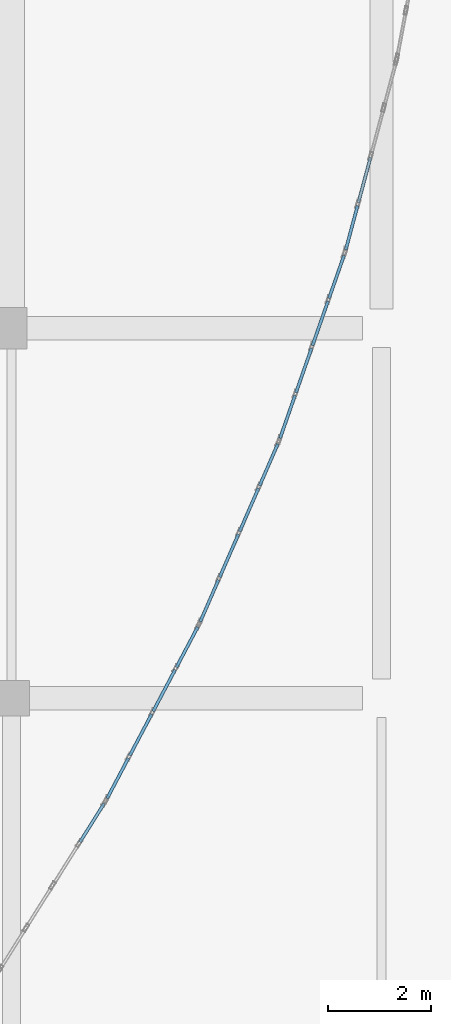
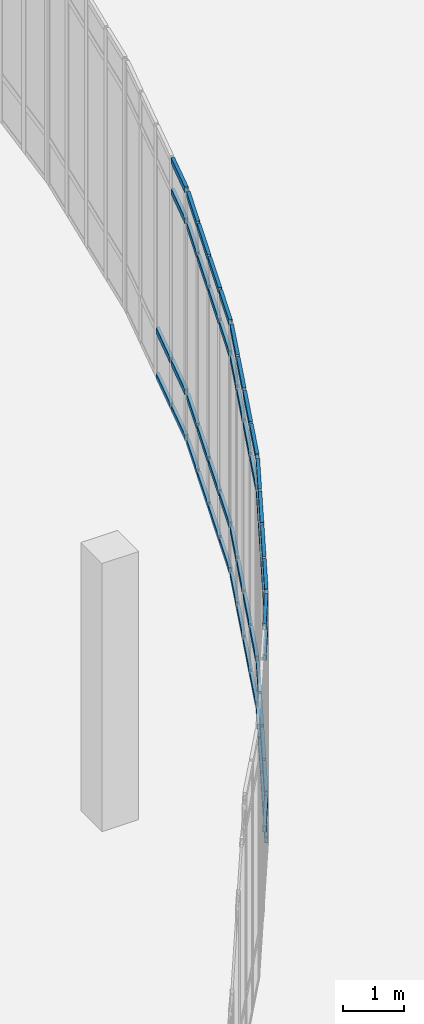
# One storey, part 71 of 110: 57 members, 5 elements without a shape of their own.
"""IFC4 building model written with IfcOpenShell, lengths in metres."""

from ifc_helpers import new_model, si_unit, direction, frame, origin, origin_2d, place, context, subcontext, project, spatial, hollow_rectangle, extrude, material, material_profile, profile_set, type_object, element, aggregate, save


model = new_model("IFC4")

# Units and contexts
model_context = context("Model", 3, precision=1e-05, world=origin(), true_north=direction((0.0, 1.0)))
body_context = subcontext(model_context, "Body", "Model", "MODEL_VIEW")
ifc_project = project(units=[si_unit("LENGTHUNIT", "METRE"), si_unit("AREAUNIT", "SQUARE_METRE"), si_unit("VOLUMEUNIT", "CUBIC_METRE"), si_unit("PLANEANGLEUNIT", "RADIAN"), si_unit("MASSUNIT", "GRAM", prefix="KILO")], contexts=[model_context])

# Site, building, storey
site_placement = place(None, origin())
site = spatial("IfcSite", under=ifc_project, at=site_placement, CompositionType="ELEMENT")
building_placement = place(site_placement, origin())
building = spatial("IfcBuilding", under=site, at=building_placement, Name="Kalluvel Institute of Natural Sciences", CompositionType="ELEMENT")
storey_placement = place(building_placement, origin())
storey = spatial("IfcBuildingStorey", under=building, at=storey_placement, Name="L00", CompositionType="ELEMENT", Elevation=0.0)

# Curtain wall, members
ifc_material = material(Name="Aluminium AW-6063 T6", Category="aluminium")
curtain_wall_type = type_object("IfcCurtainWallType", Name="CW-ATR-L00", PredefinedType="USERDEFINED", material=ifc_material)
curtain_wall_1_placement = place(storey_placement, origin())
curtain_wall_1 = element("IfcCurtainWall", 1, at=curtain_wall_1_placement, inside=storey, type_object=curtain_wall_type, Name="L00 Gothic lancet curtain wall CWA-L00-X786-Y735", ObjectType="UNITISED LANCET FACADE", PredefinedType="USERDEFINED")
ifc_material_profile = material_profile(ifc_material, hollow_rectangle(XDim=0.06005859375, YDim=0.1201171875, WallThickness=0.00390625, at=origin_2d()), Name="CWT 60x120")
ifc_profile_set = profile_set([ifc_material_profile], Name="Aluminium AW-6063 T6")
member_type = type_object("IfcMemberType", Name="CWT-60x120", PredefinedType="USERDEFINED", material=ifc_profile_set)
member_1_placement = place(storey_placement, frame((80.132080078125, 76.002197265625, 0.949951171875), z_axis=(0.531888139511, 0.84681462378, 0.0), x_axis=(-0.84681462378, 0.531888139511, 0.0)))
member_1 = element("IfcMember", 2, at=member_1_placement, type_object=member_type, Name="CW-06 transom 4.2", ObjectType="TRANSOM", PredefinedType="USERDEFINED", context=body_context, shape_type="SweptSolid", body=[
    extrude(hollow_rectangle(XDim=0.06005859375, YDim=0.1201171875, WallThickness=0.00390625, at=origin_2d()), origin(), (0.0, 0.0, 1.0), 0.88232421875),
])
member_2_placement = place(storey_placement, frame((80.132080078125, 76.002197265625, 4.39990234375), z_axis=(0.531888139511, 0.84681462378, 0.0), x_axis=(-0.84681462378, 0.531888139511, 0.0)))
member_2 = element("IfcMember", 3, at=member_2_placement, type_object=member_type, Name="CW-06 transom 4.3", ObjectType="TRANSOM", PredefinedType="USERDEFINED", context=body_context, shape_type="SweptSolid", body=[
    extrude(hollow_rectangle(XDim=0.06005859375, YDim=0.1201171875, WallThickness=0.00390625, at=origin_2d()), origin(), (0.0, 0.0, 1.0), 0.88232421875),
])
member_3_placement = place(storey_placement, frame((80.132080078125, 76.002197265625, 5.02001953125), z_axis=(0.531888139511, 0.84681462378, 0.0), x_axis=(-0.84681462378, 0.531888139511, 0.0)))
member_3 = element("IfcMember", 4, at=member_3_placement, type_object=member_type, Name="CW-06 transom 4.4", ObjectType="TRANSOM", PredefinedType="USERDEFINED", context=body_context, shape_type="SweptSolid", body=[
    extrude(hollow_rectangle(XDim=0.06005859375, YDim=0.1201171875, WallThickness=0.00390625, at=origin_2d()), origin(), (0.0, 0.0, 1.0), 0.88232421875),
])
aggregate(curtain_wall_1, [member_1, member_2, member_3])

curtain_wall_2_placement = place(storey_placement, origin())
curtain_wall_2 = element("IfcCurtainWall", 5, at=curtain_wall_2_placement, inside=storey, type_object=curtain_wall_type, Name="L00 Gothic lancet curtain wall CWA-L00-X806-Y768", ObjectType="UNITISED LANCET FACADE", PredefinedType="USERDEFINED")
member_4_placement = place(storey_placement, frame((80.661376953125, 76.85302734375, 0.030029296875), z_axis=(0.467137361686, 0.884184757456, 0.0), x_axis=(-0.884184757456, 0.467137361686, 0.0)))
member_4 = element("IfcMember", 6, at=member_4_placement, type_object=member_type, Name="CW-06 transom 1.1", ObjectType="TRANSOM", PredefinedType="USERDEFINED", context=body_context, shape_type="SweptSolid", body=[
    extrude(hollow_rectangle(XDim=0.06005859375, YDim=0.1201171875, WallThickness=0.00390625, at=origin_2d()), origin(), (0.0, 0.0, 1.0), 0.882080078125),
])
member_5_placement = place(storey_placement, frame((80.661376953125, 76.85302734375, 0.949951171875), z_axis=(0.467137361686, 0.884184757456, 0.0), x_axis=(-0.884184757456, 0.467137361686, 0.0)))
member_5 = element("IfcMember", 7, at=member_5_placement, type_object=member_type, Name="CW-06 transom 1.2", ObjectType="TRANSOM", PredefinedType="USERDEFINED", context=body_context, shape_type="SweptSolid", body=[
    extrude(hollow_rectangle(XDim=0.06005859375, YDim=0.1201171875, WallThickness=0.00390625, at=origin_2d()), origin(), (0.0, 0.0, 1.0), 0.882080078125),
])
member_6_placement = place(storey_placement, frame((80.661376953125, 76.85302734375, 4.39990234375), z_axis=(0.467137361686, 0.884184757456, 0.0), x_axis=(-0.884184757456, 0.467137361686, 0.0)))
member_6 = element("IfcMember", 8, at=member_6_placement, type_object=member_type, Name="CW-06 transom 1.3", ObjectType="TRANSOM", PredefinedType="USERDEFINED", context=body_context, shape_type="SweptSolid", body=[
    extrude(hollow_rectangle(XDim=0.06005859375, YDim=0.1201171875, WallThickness=0.00390625, at=origin_2d()), origin(), (0.0, 0.0, 1.0), 0.882080078125),
])
member_7_placement = place(storey_placement, frame((80.661376953125, 76.85302734375, 5.02001953125), z_axis=(0.467137361686, 0.884184757456, 0.0), x_axis=(-0.884184757456, 0.467137361686, 0.0)))
member_7 = element("IfcMember", 9, at=member_7_placement, type_object=member_type, Name="CW-06 transom 1.4", ObjectType="TRANSOM", PredefinedType="USERDEFINED", context=body_context, shape_type="SweptSolid", body=[
    extrude(hollow_rectangle(XDim=0.06005859375, YDim=0.1201171875, WallThickness=0.00390625, at=origin_2d()), origin(), (0.0, 0.0, 1.0), 0.882080078125),
])
member_8_placement = place(storey_placement, frame((81.1015625, 77.68603515625, 0.030029296875), z_axis=(0.467334223717, 0.884080722187, 0.0), x_axis=(-0.884080722187, 0.467334223717, 0.0)))
member_8 = element("IfcMember", 10, at=member_8_placement, type_object=member_type, Name="CW-06 transom 2.1", ObjectType="TRANSOM", PredefinedType="USERDEFINED", context=body_context, shape_type="SweptSolid", body=[
    extrude(hollow_rectangle(XDim=0.06005859375, YDim=0.1201171875, WallThickness=0.00390625, at=origin_2d()), origin(), (0.0, 0.0, 1.0), 0.912109375),
])
member_9_placement = place(storey_placement, frame((81.1015625, 77.68603515625, 0.949951171875), z_axis=(0.467334223717, 0.884080722187, 0.0), x_axis=(-0.884080722187, 0.467334223717, 0.0)))
member_9 = element("IfcMember", 11, at=member_9_placement, type_object=member_type, Name="CW-06 transom 2.2", ObjectType="TRANSOM", PredefinedType="USERDEFINED", context=body_context, shape_type="SweptSolid", body=[
    extrude(hollow_rectangle(XDim=0.06005859375, YDim=0.1201171875, WallThickness=0.00390625, at=origin_2d()), origin(), (0.0, 0.0, 1.0), 0.912109375),
])
member_10_placement = place(storey_placement, frame((81.1015625, 77.68603515625, 4.39990234375), z_axis=(0.467334223717, 0.884080722187, 0.0), x_axis=(-0.884080722187, 0.467334223717, 0.0)))
member_10 = element("IfcMember", 12, at=member_10_placement, type_object=member_type, Name="CW-06 transom 2.3", ObjectType="TRANSOM", PredefinedType="USERDEFINED", context=body_context, shape_type="SweptSolid", body=[
    extrude(hollow_rectangle(XDim=0.06005859375, YDim=0.1201171875, WallThickness=0.00390625, at=origin_2d()), origin(), (0.0, 0.0, 1.0), 0.912109375),
])
member_11_placement = place(storey_placement, frame((81.1015625, 77.68603515625, 5.02001953125), z_axis=(0.467334223717, 0.884080722187, 0.0), x_axis=(-0.884080722187, 0.467334223717, 0.0)))
member_11 = element("IfcMember", 13, at=member_11_placement, type_object=member_type, Name="CW-06 transom 2.4", ObjectType="TRANSOM", PredefinedType="USERDEFINED", context=body_context, shape_type="SweptSolid", body=[
    extrude(hollow_rectangle(XDim=0.06005859375, YDim=0.1201171875, WallThickness=0.00390625, at=origin_2d()), origin(), (0.0, 0.0, 1.0), 0.912109375),
])
member_12_placement = place(storey_placement, frame((81.555908203125, 78.54541015625, 0.030029296875), z_axis=(0.467223659537, 0.884139158712, 0.0), x_axis=(-0.884139158712, 0.467223659537, 0.0)))
member_12 = element("IfcMember", 14, at=member_12_placement, type_object=member_type, Name="CW-06 transom 3.1", ObjectType="TRANSOM", PredefinedType="USERDEFINED", context=body_context, shape_type="SweptSolid", body=[
    extrude(hollow_rectangle(XDim=0.06005859375, YDim=0.1201171875, WallThickness=0.00390625, at=origin_2d()), origin(), (0.0, 0.0, 1.0), 0.912353515625),
])
member_13_placement = place(storey_placement, frame((81.555908203125, 78.54541015625, 0.949951171875), z_axis=(0.467223659537, 0.884139158712, 0.0), x_axis=(-0.884139158712, 0.467223659537, 0.0)))
member_13 = element("IfcMember", 15, at=member_13_placement, type_object=member_type, Name="CW-06 transom 3.2", ObjectType="TRANSOM", PredefinedType="USERDEFINED", context=body_context, shape_type="SweptSolid", body=[
    extrude(hollow_rectangle(XDim=0.06005859375, YDim=0.1201171875, WallThickness=0.00390625, at=origin_2d()), origin(), (0.0, 0.0, 1.0), 0.912353515625),
])
member_14_placement = place(storey_placement, frame((81.555908203125, 78.54541015625, 4.39990234375), z_axis=(0.467223659537, 0.884139158712, 0.0), x_axis=(-0.884139158712, 0.467223659537, 0.0)))
member_14 = element("IfcMember", 16, at=member_14_placement, type_object=member_type, Name="CW-06 transom 3.3", ObjectType="TRANSOM", PredefinedType="USERDEFINED", context=body_context, shape_type="SweptSolid", body=[
    extrude(hollow_rectangle(XDim=0.06005859375, YDim=0.1201171875, WallThickness=0.00390625, at=origin_2d()), origin(), (0.0, 0.0, 1.0), 0.912353515625),
])
member_15_placement = place(storey_placement, frame((81.555908203125, 78.54541015625, 5.02001953125), z_axis=(0.467223659537, 0.884139158712, 0.0), x_axis=(-0.884139158712, 0.467223659537, 0.0)))
member_15 = element("IfcMember", 17, at=member_15_placement, type_object=member_type, Name="CW-06 transom 3.4", ObjectType="TRANSOM", PredefinedType="USERDEFINED", context=body_context, shape_type="SweptSolid", body=[
    extrude(hollow_rectangle(XDim=0.06005859375, YDim=0.1201171875, WallThickness=0.00390625, at=origin_2d()), origin(), (0.0, 0.0, 1.0), 0.912353515625),
])
member_16_placement = place(storey_placement, frame((82.01025390625, 79.405029296875, 0.030029296875), z_axis=(0.467137361686, 0.884184757456, 0.0), x_axis=(-0.884184757456, 0.467137361686, 0.0)))
member_16 = element("IfcMember", 18, at=member_16_placement, type_object=member_type, Name="CW-06 transom 4.1", ObjectType="TRANSOM", PredefinedType="USERDEFINED", context=body_context, shape_type="SweptSolid", body=[
    extrude(hollow_rectangle(XDim=0.06005859375, YDim=0.1201171875, WallThickness=0.00390625, at=origin_2d()), origin(), (0.0, 0.0, 1.0), 0.882080078125),
])
member_17_placement = place(storey_placement, frame((82.01025390625, 79.405029296875, 0.949951171875), z_axis=(0.467137361686, 0.884184757456, 0.0), x_axis=(-0.884184757456, 0.467137361686, 0.0)))
member_17 = element("IfcMember", 19, at=member_17_placement, type_object=member_type, Name="CW-06 transom 4.2", ObjectType="TRANSOM", PredefinedType="USERDEFINED", context=body_context, shape_type="SweptSolid", body=[
    extrude(hollow_rectangle(XDim=0.06005859375, YDim=0.1201171875, WallThickness=0.00390625, at=origin_2d()), origin(), (0.0, 0.0, 1.0), 0.882080078125),
])
member_18_placement = place(storey_placement, frame((82.01025390625, 79.405029296875, 4.39990234375), z_axis=(0.467137361686, 0.884184757456, 0.0), x_axis=(-0.884184757456, 0.467137361686, 0.0)))
member_18 = element("IfcMember", 20, at=member_18_placement, type_object=member_type, Name="CW-06 transom 4.3", ObjectType="TRANSOM", PredefinedType="USERDEFINED", context=body_context, shape_type="SweptSolid", body=[
    extrude(hollow_rectangle(XDim=0.06005859375, YDim=0.1201171875, WallThickness=0.00390625, at=origin_2d()), origin(), (0.0, 0.0, 1.0), 0.882080078125),
])
member_19_placement = place(storey_placement, frame((82.01025390625, 79.405029296875, 5.02001953125), z_axis=(0.467137361686, 0.884184757456, 0.0), x_axis=(-0.884184757456, 0.467137361686, 0.0)))
member_19 = element("IfcMember", 21, at=member_19_placement, type_object=member_type, Name="CW-06 transom 4.4", ObjectType="TRANSOM", PredefinedType="USERDEFINED", context=body_context, shape_type="SweptSolid", body=[
    extrude(hollow_rectangle(XDim=0.06005859375, YDim=0.1201171875, WallThickness=0.00390625, at=origin_2d()), origin(), (0.0, 0.0, 1.0), 0.882080078125),
])
aggregate(curtain_wall_2, [member_4, member_5, member_6, member_7, member_8, member_9, member_10, member_11, member_12, member_13, member_14, member_15, member_16, member_17, member_18, member_19])

curtain_wall_3_placement = place(storey_placement, origin())
curtain_wall_3 = element("IfcCurtainWall", 22, at=curtain_wall_3_placement, inside=storey, type_object=curtain_wall_type, Name="L00 Gothic lancet curtain wall CWA-L00-X825-Y802", ObjectType="UNITISED LANCET FACADE", PredefinedType="USERDEFINED")
member_20_placement = place(storey_placement, frame((82.474365234375, 80.29296875, 0.030029296875), z_axis=(0.399889506893, 0.916563354208, 0.0), x_axis=(-0.916563354208, 0.399889506893, 0.0)))
member_20 = element("IfcMember", 23, at=member_20_placement, type_object=member_type, Name="CW-06 transom 1.1", ObjectType="TRANSOM", PredefinedType="USERDEFINED", context=body_context, shape_type="SweptSolid", body=[
    extrude(hollow_rectangle(XDim=0.06005859375, YDim=0.1201171875, WallThickness=0.00390625, at=origin_2d()), origin(), (0.0, 0.0, 1.0), 0.882080078125),
])
member_21_placement = place(storey_placement, frame((82.474365234375, 80.29296875, 0.949951171875), z_axis=(0.399889506893, 0.916563354208, 0.0), x_axis=(-0.916563354208, 0.399889506893, 0.0)))
member_21 = element("IfcMember", 24, at=member_21_placement, type_object=member_type, Name="CW-06 transom 1.2", ObjectType="TRANSOM", PredefinedType="USERDEFINED", context=body_context, shape_type="SweptSolid", body=[
    extrude(hollow_rectangle(XDim=0.06005859375, YDim=0.1201171875, WallThickness=0.00390625, at=origin_2d()), origin(), (0.0, 0.0, 1.0), 0.882080078125),
])
member_22_placement = place(storey_placement, frame((82.474365234375, 80.29296875, 4.39990234375), z_axis=(0.399889506893, 0.916563354208, 0.0), x_axis=(-0.916563354208, 0.399889506893, 0.0)))
member_22 = element("IfcMember", 25, at=member_22_placement, type_object=member_type, Name="CW-06 transom 1.3", ObjectType="TRANSOM", PredefinedType="USERDEFINED", context=body_context, shape_type="SweptSolid", body=[
    extrude(hollow_rectangle(XDim=0.06005859375, YDim=0.1201171875, WallThickness=0.00390625, at=origin_2d()), origin(), (0.0, 0.0, 1.0), 0.882080078125),
])
member_23_placement = place(storey_placement, frame((82.474365234375, 80.29296875, 5.02001953125), z_axis=(0.399889506893, 0.916563354208, 0.0), x_axis=(-0.916563354208, 0.399889506893, 0.0)))
member_23 = element("IfcMember", 26, at=member_23_placement, type_object=member_type, Name="CW-06 transom 1.4", ObjectType="TRANSOM", PredefinedType="USERDEFINED", context=body_context, shape_type="SweptSolid", body=[
    extrude(hollow_rectangle(XDim=0.06005859375, YDim=0.1201171875, WallThickness=0.00390625, at=origin_2d()), origin(), (0.0, 0.0, 1.0), 0.882080078125),
])
member_24_placement = place(storey_placement, frame((82.85107421875, 81.156494140625, 0.030029296875), z_axis=(0.399821828084, 0.916592878975, 0.0), x_axis=(-0.916592878975, 0.399821828084, 0.0)))
member_24 = element("IfcMember", 27, at=member_24_placement, type_object=member_type, Name="CW-06 transom 2.1", ObjectType="TRANSOM", PredefinedType="USERDEFINED", context=body_context, shape_type="SweptSolid", body=[
    extrude(hollow_rectangle(XDim=0.06005859375, YDim=0.1201171875, WallThickness=0.00390625, at=origin_2d()), origin(), (0.0, 0.0, 1.0), 0.912353515625),
])
member_25_placement = place(storey_placement, frame((82.85107421875, 81.156494140625, 0.949951171875), z_axis=(0.399821828084, 0.916592878975, 0.0), x_axis=(-0.916592878975, 0.399821828084, 0.0)))
member_25 = element("IfcMember", 28, at=member_25_placement, type_object=member_type, Name="CW-06 transom 2.2", ObjectType="TRANSOM", PredefinedType="USERDEFINED", context=body_context, shape_type="SweptSolid", body=[
    extrude(hollow_rectangle(XDim=0.06005859375, YDim=0.1201171875, WallThickness=0.00390625, at=origin_2d()), origin(), (0.0, 0.0, 1.0), 0.912353515625),
])
member_26_placement = place(storey_placement, frame((82.85107421875, 81.156494140625, 4.39990234375), z_axis=(0.399821828084, 0.916592878975, 0.0), x_axis=(-0.916592878975, 0.399821828084, 0.0)))
member_26 = element("IfcMember", 29, at=member_26_placement, type_object=member_type, Name="CW-06 transom 2.3", ObjectType="TRANSOM", PredefinedType="USERDEFINED", context=body_context, shape_type="SweptSolid", body=[
    extrude(hollow_rectangle(XDim=0.06005859375, YDim=0.1201171875, WallThickness=0.00390625, at=origin_2d()), origin(), (0.0, 0.0, 1.0), 0.912353515625),
])
member_27_placement = place(storey_placement, frame((82.85107421875, 81.156494140625, 5.02001953125), z_axis=(0.399821828084, 0.916592878975, 0.0), x_axis=(-0.916592878975, 0.399821828084, 0.0)))
member_27 = element("IfcMember", 30, at=member_27_placement, type_object=member_type, Name="CW-06 transom 2.4", ObjectType="TRANSOM", PredefinedType="USERDEFINED", context=body_context, shape_type="SweptSolid", body=[
    extrude(hollow_rectangle(XDim=0.06005859375, YDim=0.1201171875, WallThickness=0.00390625, at=origin_2d()), origin(), (0.0, 0.0, 1.0), 0.912353515625),
])
member_28_placement = place(storey_placement, frame((83.239990234375, 82.047607421875, 0.030029296875), z_axis=(0.399821828084, 0.916592878975, 0.0), x_axis=(-0.916592878975, 0.399821828084, 0.0)))
member_28 = element("IfcMember", 31, at=member_28_placement, type_object=member_type, Name="CW-06 transom 3.1", ObjectType="TRANSOM", PredefinedType="USERDEFINED", context=body_context, shape_type="SweptSolid", body=[
    extrude(hollow_rectangle(XDim=0.06005859375, YDim=0.1201171875, WallThickness=0.00390625, at=origin_2d()), origin(), (0.0, 0.0, 1.0), 0.912353515625),
])
member_29_placement = place(storey_placement, frame((83.239990234375, 82.047607421875, 0.949951171875), z_axis=(0.399821828084, 0.916592878975, 0.0), x_axis=(-0.916592878975, 0.399821828084, 0.0)))
member_29 = element("IfcMember", 32, at=member_29_placement, type_object=member_type, Name="CW-06 transom 3.2", ObjectType="TRANSOM", PredefinedType="USERDEFINED", context=body_context, shape_type="SweptSolid", body=[
    extrude(hollow_rectangle(XDim=0.06005859375, YDim=0.1201171875, WallThickness=0.00390625, at=origin_2d()), origin(), (0.0, 0.0, 1.0), 0.912353515625),
])
member_30_placement = place(storey_placement, frame((83.239990234375, 82.047607421875, 4.39990234375), z_axis=(0.399821828084, 0.916592878975, 0.0), x_axis=(-0.916592878975, 0.399821828084, 0.0)))
member_30 = element("IfcMember", 33, at=member_30_placement, type_object=member_type, Name="CW-06 transom 3.3", ObjectType="TRANSOM", PredefinedType="USERDEFINED", context=body_context, shape_type="SweptSolid", body=[
    extrude(hollow_rectangle(XDim=0.06005859375, YDim=0.1201171875, WallThickness=0.00390625, at=origin_2d()), origin(), (0.0, 0.0, 1.0), 0.912353515625),
])
member_31_placement = place(storey_placement, frame((83.239990234375, 82.047607421875, 5.02001953125), z_axis=(0.399821828084, 0.916592878975, 0.0), x_axis=(-0.916592878975, 0.399821828084, 0.0)))
member_31 = element("IfcMember", 34, at=member_31_placement, type_object=member_type, Name="CW-06 transom 3.4", ObjectType="TRANSOM", PredefinedType="USERDEFINED", context=body_context, shape_type="SweptSolid", body=[
    extrude(hollow_rectangle(XDim=0.06005859375, YDim=0.1201171875, WallThickness=0.00390625, at=origin_2d()), origin(), (0.0, 0.0, 1.0), 0.912353515625),
])
member_32_placement = place(storey_placement, frame((83.628662109375, 82.938720703125, 0.030029296875), z_axis=(0.399889506893, 0.916563354208, 0.0), x_axis=(-0.916563354208, 0.399889506893, 0.0)))
member_32 = element("IfcMember", 35, at=member_32_placement, type_object=member_type, Name="CW-06 transom 4.1", ObjectType="TRANSOM", PredefinedType="USERDEFINED", context=body_context, shape_type="SweptSolid", body=[
    extrude(hollow_rectangle(XDim=0.06005859375, YDim=0.1201171875, WallThickness=0.00390625, at=origin_2d()), origin(), (0.0, 0.0, 1.0), 0.882080078125),
])
member_33_placement = place(storey_placement, frame((83.628662109375, 82.938720703125, 0.949951171875), z_axis=(0.399889506893, 0.916563354208, 0.0), x_axis=(-0.916563354208, 0.399889506893, 0.0)))
member_33 = element("IfcMember", 36, at=member_33_placement, type_object=member_type, Name="CW-06 transom 4.2", ObjectType="TRANSOM", PredefinedType="USERDEFINED", context=body_context, shape_type="SweptSolid", body=[
    extrude(hollow_rectangle(XDim=0.06005859375, YDim=0.1201171875, WallThickness=0.00390625, at=origin_2d()), origin(), (0.0, 0.0, 1.0), 0.882080078125),
])
member_34_placement = place(storey_placement, frame((83.628662109375, 82.938720703125, 4.39990234375), z_axis=(0.399889506893, 0.916563354208, 0.0), x_axis=(-0.916563354208, 0.399889506893, 0.0)))
member_34 = element("IfcMember", 37, at=member_34_placement, type_object=member_type, Name="CW-06 transom 4.3", ObjectType="TRANSOM", PredefinedType="USERDEFINED", context=body_context, shape_type="SweptSolid", body=[
    extrude(hollow_rectangle(XDim=0.06005859375, YDim=0.1201171875, WallThickness=0.00390625, at=origin_2d()), origin(), (0.0, 0.0, 1.0), 0.882080078125),
])
member_35_placement = place(storey_placement, frame((83.628662109375, 82.938720703125, 5.02001953125), z_axis=(0.399889506893, 0.916563354208, 0.0), x_axis=(-0.916563354208, 0.399889506893, 0.0)))
member_35 = element("IfcMember", 38, at=member_35_placement, type_object=member_type, Name="CW-06 transom 4.4", ObjectType="TRANSOM", PredefinedType="USERDEFINED", context=body_context, shape_type="SweptSolid", body=[
    extrude(hollow_rectangle(XDim=0.06005859375, YDim=0.1201171875, WallThickness=0.00390625, at=origin_2d()), origin(), (0.0, 0.0, 1.0), 0.882080078125),
])
aggregate(curtain_wall_3, [member_20, member_21, member_22, member_23, member_24, member_25, member_26, member_27, member_28, member_29, member_30, member_31, member_32, member_33, member_34, member_35])

curtain_wall_4_placement = place(storey_placement, origin())
curtain_wall_4 = element("IfcCurtainWall", 39, at=curtain_wall_4_placement, inside=storey, type_object=curtain_wall_type, Name="L00 Gothic lancet curtain wall CWA-L00-X840-Y838", ObjectType="UNITISED LANCET FACADE", PredefinedType="USERDEFINED")
member_36_placement = place(storey_placement, frame((84.025146484375, 83.85888671875, 0.030029296875), z_axis=(0.330387400826, 0.943845413919, 0.0), x_axis=(-0.943845413919, 0.330387400826, 0.0)))
member_36 = element("IfcMember", 40, at=member_36_placement, type_object=member_type, Name="CW-06 transom 1.1", ObjectType="TRANSOM", PredefinedType="USERDEFINED", context=body_context, shape_type="SweptSolid", body=[
    extrude(hollow_rectangle(XDim=0.06005859375, YDim=0.1201171875, WallThickness=0.00390625, at=origin_2d()), origin(), (0.0, 0.0, 1.0), 0.88232421875),
])
member_37_placement = place(storey_placement, frame((84.025146484375, 83.85888671875, 0.949951171875), z_axis=(0.330387400826, 0.943845413919, 0.0), x_axis=(-0.943845413919, 0.330387400826, 0.0)))
member_37 = element("IfcMember", 41, at=member_37_placement, type_object=member_type, Name="CW-06 transom 1.2", ObjectType="TRANSOM", PredefinedType="USERDEFINED", context=body_context, shape_type="SweptSolid", body=[
    extrude(hollow_rectangle(XDim=0.06005859375, YDim=0.1201171875, WallThickness=0.00390625, at=origin_2d()), origin(), (0.0, 0.0, 1.0), 0.88232421875),
])
member_38_placement = place(storey_placement, frame((84.025146484375, 83.85888671875, 4.39990234375), z_axis=(0.330387400826, 0.943845413919, 0.0), x_axis=(-0.943845413919, 0.330387400826, 0.0)))
member_38 = element("IfcMember", 42, at=member_38_placement, type_object=member_type, Name="CW-06 transom 1.3", ObjectType="TRANSOM", PredefinedType="USERDEFINED", context=body_context, shape_type="SweptSolid", body=[
    extrude(hollow_rectangle(XDim=0.06005859375, YDim=0.1201171875, WallThickness=0.00390625, at=origin_2d()), origin(), (0.0, 0.0, 1.0), 0.88232421875),
])
member_39_placement = place(storey_placement, frame((84.025146484375, 83.85888671875, 5.02001953125), z_axis=(0.330387400826, 0.943845413919, 0.0), x_axis=(-0.943845413919, 0.330387400826, 0.0)))
member_39 = element("IfcMember", 43, at=member_39_placement, type_object=member_type, Name="CW-06 transom 1.4", ObjectType="TRANSOM", PredefinedType="USERDEFINED", context=body_context, shape_type="SweptSolid", body=[
    extrude(hollow_rectangle(XDim=0.06005859375, YDim=0.1201171875, WallThickness=0.00390625, at=origin_2d()), origin(), (0.0, 0.0, 1.0), 0.88232421875),
])
member_40_placement = place(storey_placement, frame((84.33642578125, 84.748291015625, 0.030029296875), z_axis=(0.330326577169, 0.943866702673, 0.0), x_axis=(-0.943866702673, 0.330326577169, 0.0)))
member_40 = element("IfcMember", 44, at=member_40_placement, type_object=member_type, Name="CW-06 transom 2.1", ObjectType="TRANSOM", PredefinedType="USERDEFINED", context=body_context, shape_type="SweptSolid", body=[
    extrude(hollow_rectangle(XDim=0.06005859375, YDim=0.1201171875, WallThickness=0.00390625, at=origin_2d()), origin(), (0.0, 0.0, 1.0), 0.912109375),
])
member_41_placement = place(storey_placement, frame((84.33642578125, 84.748291015625, 0.949951171875), z_axis=(0.330326577169, 0.943866702673, 0.0), x_axis=(-0.943866702673, 0.330326577169, 0.0)))
member_41 = element("IfcMember", 45, at=member_41_placement, type_object=member_type, Name="CW-06 transom 2.2", ObjectType="TRANSOM", PredefinedType="USERDEFINED", context=body_context, shape_type="SweptSolid", body=[
    extrude(hollow_rectangle(XDim=0.06005859375, YDim=0.1201171875, WallThickness=0.00390625, at=origin_2d()), origin(), (0.0, 0.0, 1.0), 0.912109375),
])
member_42_placement = place(storey_placement, frame((84.33642578125, 84.748291015625, 4.39990234375), z_axis=(0.330326577169, 0.943866702673, 0.0), x_axis=(-0.943866702673, 0.330326577169, 0.0)))
member_42 = element("IfcMember", 46, at=member_42_placement, type_object=member_type, Name="CW-06 transom 2.3", ObjectType="TRANSOM", PredefinedType="USERDEFINED", context=body_context, shape_type="SweptSolid", body=[
    extrude(hollow_rectangle(XDim=0.06005859375, YDim=0.1201171875, WallThickness=0.00390625, at=origin_2d()), origin(), (0.0, 0.0, 1.0), 0.912109375),
])
member_43_placement = place(storey_placement, frame((84.33642578125, 84.748291015625, 5.02001953125), z_axis=(0.330326577169, 0.943866702673, 0.0), x_axis=(-0.943866702673, 0.330326577169, 0.0)))
member_43 = element("IfcMember", 47, at=member_43_placement, type_object=member_type, Name="CW-06 transom 2.4", ObjectType="TRANSOM", PredefinedType="USERDEFINED", context=body_context, shape_type="SweptSolid", body=[
    extrude(hollow_rectangle(XDim=0.06005859375, YDim=0.1201171875, WallThickness=0.00390625, at=origin_2d()), origin(), (0.0, 0.0, 1.0), 0.912109375),
])
member_44_placement = place(storey_placement, frame((84.657470703125, 85.665771484375, 0.030029296875), z_axis=(0.330243136161, 0.94389590052, 0.0), x_axis=(-0.94389590052, 0.330243136161, 0.0)))
member_44 = element("IfcMember", 48, at=member_44_placement, type_object=member_type, Name="CW-06 transom 3.1", ObjectType="TRANSOM", PredefinedType="USERDEFINED", context=body_context, shape_type="SweptSolid", body=[
    extrude(hollow_rectangle(XDim=0.06005859375, YDim=0.1201171875, WallThickness=0.00390625, at=origin_2d()), origin(), (0.0, 0.0, 1.0), 0.912353515625),
])
member_45_placement = place(storey_placement, frame((84.657470703125, 85.665771484375, 0.949951171875), z_axis=(0.330243136161, 0.94389590052, 0.0), x_axis=(-0.94389590052, 0.330243136161, 0.0)))
member_45 = element("IfcMember", 49, at=member_45_placement, type_object=member_type, Name="CW-06 transom 3.2", ObjectType="TRANSOM", PredefinedType="USERDEFINED", context=body_context, shape_type="SweptSolid", body=[
    extrude(hollow_rectangle(XDim=0.06005859375, YDim=0.1201171875, WallThickness=0.00390625, at=origin_2d()), origin(), (0.0, 0.0, 1.0), 0.912353515625),
])
member_46_placement = place(storey_placement, frame((84.657470703125, 85.665771484375, 4.39990234375), z_axis=(0.330243136161, 0.94389590052, 0.0), x_axis=(-0.94389590052, 0.330243136161, 0.0)))
member_46 = element("IfcMember", 50, at=member_46_placement, type_object=member_type, Name="CW-06 transom 3.3", ObjectType="TRANSOM", PredefinedType="USERDEFINED", context=body_context, shape_type="SweptSolid", body=[
    extrude(hollow_rectangle(XDim=0.06005859375, YDim=0.1201171875, WallThickness=0.00390625, at=origin_2d()), origin(), (0.0, 0.0, 1.0), 0.912353515625),
])
member_47_placement = place(storey_placement, frame((84.657470703125, 85.665771484375, 5.02001953125), z_axis=(0.330243136161, 0.94389590052, 0.0), x_axis=(-0.94389590052, 0.330243136161, 0.0)))
member_47 = element("IfcMember", 51, at=member_47_placement, type_object=member_type, Name="CW-06 transom 3.4", ObjectType="TRANSOM", PredefinedType="USERDEFINED", context=body_context, shape_type="SweptSolid", body=[
    extrude(hollow_rectangle(XDim=0.06005859375, YDim=0.1201171875, WallThickness=0.00390625, at=origin_2d()), origin(), (0.0, 0.0, 1.0), 0.912353515625),
])
member_48_placement = place(storey_placement, frame((84.978515625, 86.58349609375, 0.030029296875), z_axis=(0.330473708614, 0.943815197968, 0.0), x_axis=(-0.943815197968, 0.330473708614, 0.0)))
member_48 = element("IfcMember", 52, at=member_48_placement, type_object=member_type, Name="CW-06 transom 4.1", ObjectType="TRANSOM", PredefinedType="USERDEFINED", context=body_context, shape_type="SweptSolid", body=[
    extrude(hollow_rectangle(XDim=0.06005859375, YDim=0.1201171875, WallThickness=0.00390625, at=origin_2d()), origin(), (0.0, 0.0, 1.0), 0.882080078125),
])
member_49_placement = place(storey_placement, frame((84.978515625, 86.58349609375, 0.949951171875), z_axis=(0.330473708614, 0.943815197968, 0.0), x_axis=(-0.943815197968, 0.330473708614, 0.0)))
member_49 = element("IfcMember", 53, at=member_49_placement, type_object=member_type, Name="CW-06 transom 4.2", ObjectType="TRANSOM", PredefinedType="USERDEFINED", context=body_context, shape_type="SweptSolid", body=[
    extrude(hollow_rectangle(XDim=0.06005859375, YDim=0.1201171875, WallThickness=0.00390625, at=origin_2d()), origin(), (0.0, 0.0, 1.0), 0.882080078125),
])
member_50_placement = place(storey_placement, frame((84.978515625, 86.58349609375, 4.39990234375), z_axis=(0.330473708614, 0.943815197968, 0.0), x_axis=(-0.943815197968, 0.330473708614, 0.0)))
member_50 = element("IfcMember", 54, at=member_50_placement, type_object=member_type, Name="CW-06 transom 4.3", ObjectType="TRANSOM", PredefinedType="USERDEFINED", context=body_context, shape_type="SweptSolid", body=[
    extrude(hollow_rectangle(XDim=0.06005859375, YDim=0.1201171875, WallThickness=0.00390625, at=origin_2d()), origin(), (0.0, 0.0, 1.0), 0.882080078125),
])
member_51_placement = place(storey_placement, frame((84.978515625, 86.58349609375, 5.02001953125), z_axis=(0.330473708614, 0.943815197968, 0.0), x_axis=(-0.943815197968, 0.330473708614, 0.0)))
member_51 = element("IfcMember", 55, at=member_51_placement, type_object=member_type, Name="CW-06 transom 4.4", ObjectType="TRANSOM", PredefinedType="USERDEFINED", context=body_context, shape_type="SweptSolid", body=[
    extrude(hollow_rectangle(XDim=0.06005859375, YDim=0.1201171875, WallThickness=0.00390625, at=origin_2d()), origin(), (0.0, 0.0, 1.0), 0.882080078125),
])
aggregate(curtain_wall_4, [member_36, member_37, member_38, member_39, member_40, member_41, member_42, member_43, member_44, member_45, member_46, member_47, member_48, member_49, member_50, member_51])

curtain_wall_5_placement = place(storey_placement, origin())
curtain_wall_5 = element("IfcCurtainWall", 56, at=curtain_wall_5_placement, inside=storey, type_object=curtain_wall_type, Name="L00 Gothic lancet curtain wall CWA-L00-X853-Y875", ObjectType="UNITISED LANCET FACADE", PredefinedType="USERDEFINED")
member_52_placement = place(storey_placement, frame((85.305419921875, 87.53076171875, 0.030029296875), z_axis=(0.258782199939, 0.965935698168, 0.0), x_axis=(-0.965935698168, 0.258782199939, 0.0)))
member_52 = element("IfcMember", 57, at=member_52_placement, type_object=member_type, Name="CW-06 transom 1.1", ObjectType="TRANSOM", PredefinedType="USERDEFINED", context=body_context, shape_type="SweptSolid", body=[
    extrude(hollow_rectangle(XDim=0.06005859375, YDim=0.1201171875, WallThickness=0.00390625, at=origin_2d()), origin(), (0.0, 0.0, 1.0), 0.882080078125),
])
member_53_placement = place(storey_placement, frame((85.305419921875, 87.53076171875, 0.949951171875), z_axis=(0.258782199939, 0.965935698168, 0.0), x_axis=(-0.965935698168, 0.258782199939, 0.0)))
member_53 = element("IfcMember", 58, at=member_53_placement, type_object=member_type, Name="CW-06 transom 1.2", ObjectType="TRANSOM", PredefinedType="USERDEFINED", context=body_context, shape_type="SweptSolid", body=[
    extrude(hollow_rectangle(XDim=0.06005859375, YDim=0.1201171875, WallThickness=0.00390625, at=origin_2d()), origin(), (0.0, 0.0, 1.0), 0.882080078125),
])
member_54_placement = place(storey_placement, frame((85.305419921875, 87.53076171875, 4.39990234375), z_axis=(0.258782199939, 0.965935698168, 0.0), x_axis=(-0.965935698168, 0.258782199939, 0.0)))
member_54 = element("IfcMember", 59, at=member_54_placement, type_object=member_type, Name="CW-06 transom 1.3", ObjectType="TRANSOM", PredefinedType="USERDEFINED", context=body_context, shape_type="SweptSolid", body=[
    extrude(hollow_rectangle(XDim=0.06005859375, YDim=0.1201171875, WallThickness=0.00390625, at=origin_2d()), origin(), (0.0, 0.0, 1.0), 0.882080078125),
])
member_55_placement = place(storey_placement, frame((85.305419921875, 87.53076171875, 5.02001953125), z_axis=(0.258782199939, 0.965935698168, 0.0), x_axis=(-0.965935698168, 0.258782199939, 0.0)))
member_55 = element("IfcMember", 60, at=member_55_placement, type_object=member_type, Name="CW-06 transom 1.4", ObjectType="TRANSOM", PredefinedType="USERDEFINED", context=body_context, shape_type="SweptSolid", body=[
    extrude(hollow_rectangle(XDim=0.06005859375, YDim=0.1201171875, WallThickness=0.00390625, at=origin_2d()), origin(), (0.0, 0.0, 1.0), 0.882080078125),
])
member_56_placement = place(storey_placement, frame((85.549072265625, 88.440673828125, 0.030029296875), z_axis=(0.259061584805, 0.965860805333, 0.0), x_axis=(-0.965860805333, 0.259061584805, 0.0)))
member_56 = element("IfcMember", 61, at=member_56_placement, type_object=member_type, Name="CW-06 transom 2.1", ObjectType="TRANSOM", PredefinedType="USERDEFINED", context=body_context, shape_type="SweptSolid", body=[
    extrude(hollow_rectangle(XDim=0.06005859375, YDim=0.1201171875, WallThickness=0.00390625, at=origin_2d()), origin(), (0.0, 0.0, 1.0), 0.912353515625),
])
member_57_placement = place(storey_placement, frame((85.549072265625, 88.440673828125, 0.949951171875), z_axis=(0.259061584805, 0.965860805333, 0.0), x_axis=(-0.965860805333, 0.259061584805, 0.0)))
member_57 = element("IfcMember", 62, at=member_57_placement, type_object=member_type, Name="CW-06 transom 2.2", ObjectType="TRANSOM", PredefinedType="USERDEFINED", context=body_context, shape_type="SweptSolid", body=[
    extrude(hollow_rectangle(XDim=0.06005859375, YDim=0.1201171875, WallThickness=0.00390625, at=origin_2d()), origin(), (0.0, 0.0, 1.0), 0.912353515625),
])
aggregate(curtain_wall_5, [member_52, member_53, member_54, member_55, member_56, member_57])

save(model, "model.ifc")
